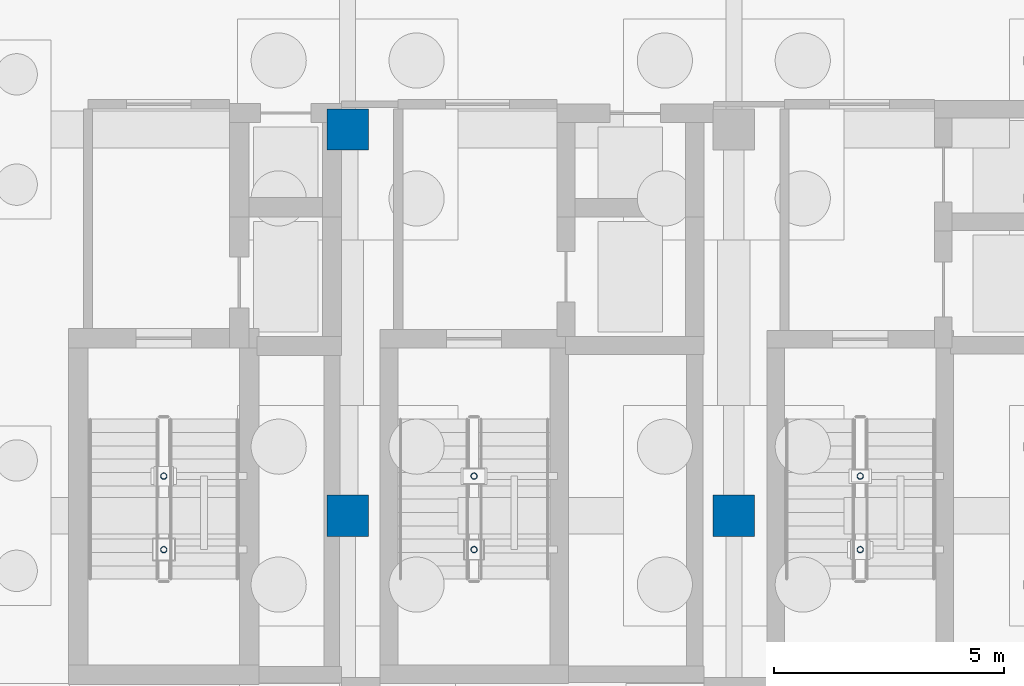
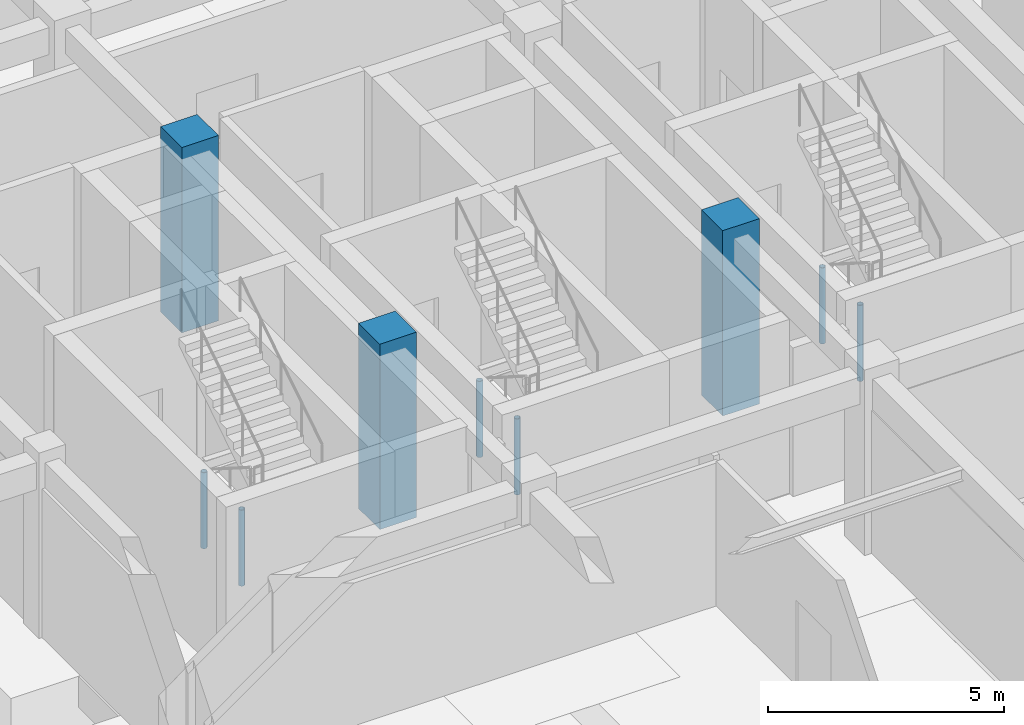
# One storey, part 25 of 49: 9 columns.
"""IFC4 building model written with IfcOpenShell, lengths in metres."""

from ifc_helpers import new_model, si_unit, direction, frame, origin, origin_2d, place, context, subcontext, project, spatial, rectangle, hollow_circle, extrude, material, material_profile, profile_set, type_object, element, save


model = new_model("IFC4")

# Units and contexts
model_context = context("Model", 3, precision=1e-05, world=origin(), true_north=direction((0.0, 1.0)))
body_context = subcontext(model_context, "Body", "Model", "MODEL_VIEW")
ifc_project = project(units=[si_unit("LENGTHUNIT", "METRE"), si_unit("AREAUNIT", "SQUARE_METRE"), si_unit("VOLUMEUNIT", "CUBIC_METRE"), si_unit("PLANEANGLEUNIT", "RADIAN"), si_unit("MASSUNIT", "GRAM", prefix="KILO")], contexts=[model_context])

# Site, building, storey
site_placement = place(None, origin())
site = spatial("IfcSite", under=ifc_project, at=site_placement, CompositionType="ELEMENT")
building_placement = place(site_placement, origin())
building = spatial("IfcBuilding", under=site, at=building_placement, Name="Krzemoval Escarpment Law Courts", CompositionType="ELEMENT")
storey_placement = place(building_placement, frame((0.0, 0.0, -4.800048828125)))
storey = spatial("IfcBuildingStorey", under=building, at=storey_placement, Name="B1", CompositionType="ELEMENT", Elevation=-4.800048828125)

# Columns
ifc_material_1 = material(Name="Concrete C50/60", Category="concrete")
ifc_material_profile_1 = material_profile(ifc_material_1, rectangle(XDim=0.89990234375, YDim=0.89990234375, at=origin_2d()), Name="RC 900x900")
ifc_profile_set_1 = profile_set([ifc_material_profile_1], Name="Concrete C50/60")
column_type_1 = type_object("IfcColumnType", Name="COL-RC-900", PredefinedType="COLUMN", material=ifc_profile_set_1)
for number, where, z_axis, x_axis, name in (
    (1, (134.39990234375, 99.60009765625, 0.0), (0.0, 0.0, 1.0), (1.0, 0.0, 0.0), "Column FC-B1-0196"),
    (2, (134.39990234375, 108.0, 0.0), (0.0, 0.0, 1.0), (1.0, 0.0, 0.0), "Column FC-B1-0197"),
    (3, (142.800048828125, 99.60009765625, 0.0), (0.0, 0.0, 1.0), (1.0, 0.0, 0.0), "Column FC-B1-0213"),
):
    element("IfcColumn", number, at=place(storey_placement, frame(where, z_axis=z_axis, x_axis=x_axis)), inside=storey, type_object=column_type_1, Name=name, PredefinedType="COLUMN", context=body_context, shape_type="SweptSolid", body=[
        extrude(rectangle(XDim=0.89990234375, YDim=0.89990234375, at=origin_2d()), origin(), (0.0, 0.0, 1.0), 4.800048828125),
    ])
ifc_material_2 = material(Name="Steel S355", Category="steel")
ifc_material_profile_2 = material_profile(ifc_material_2, hollow_circle(Radius=0.06982421875, WallThickness=0.008056640625, at=origin_2d()), Name="CHS 139.7x8")
ifc_profile_set_2 = profile_set([ifc_material_profile_2], Name="Steel S355")
column_type_2 = type_object("IfcColumnType", Name="COL-S355-CHS140", PredefinedType="COLUMN", material=ifc_profile_set_2)
for number, where, z_axis, x_axis, name in (
    (4, (130.39990234375, 98.860107421875, 0.0), (0.0, 0.0, 1.0), (1.0, 0.0, 0.0), "Stair Well Post SCP-C1-B1-1"),
    (5, (130.39990234375, 100.4599609375, 0.0), (0.0, 0.0, 1.0), (1.0, 0.0, 0.0), "Stair Well Post SCP-C1-B1-2"),
    (6, (137.14990234375, 98.860107421875, 0.0), (0.0, 0.0, 1.0), (1.0, 0.0, 0.0), "Stair Well Post SCP-C2-B1-1"),
    (7, (137.14990234375, 100.4599609375, 0.0), (0.0, 0.0, 1.0), (1.0, 0.0, 0.0), "Stair Well Post SCP-C2-B1-2"),
    (8, (145.550048828125, 98.860107421875, 0.0), (0.0, 0.0, 1.0), (1.0, 0.0, 0.0), "Stair Well Post SCP-C3-B1-1"),
    (9, (145.550048828125, 100.4599609375, 0.0), (0.0, 0.0, 1.0), (1.0, 0.0, 0.0), "Stair Well Post SCP-C3-B1-2"),
):
    element("IfcColumn", number, at=place(storey_placement, frame(where, z_axis=z_axis, x_axis=x_axis)), inside=storey, type_object=column_type_2, Name=name, PredefinedType="COLUMN", context=body_context, shape_type="SweptSolid", body=[
        extrude(hollow_circle(Radius=0.06982421875, WallThickness=0.008056640625, at=origin_2d()), origin(), (0.0, 0.0, 1.0), 1.969970703125),
    ])

save(model, "model.ifc")
